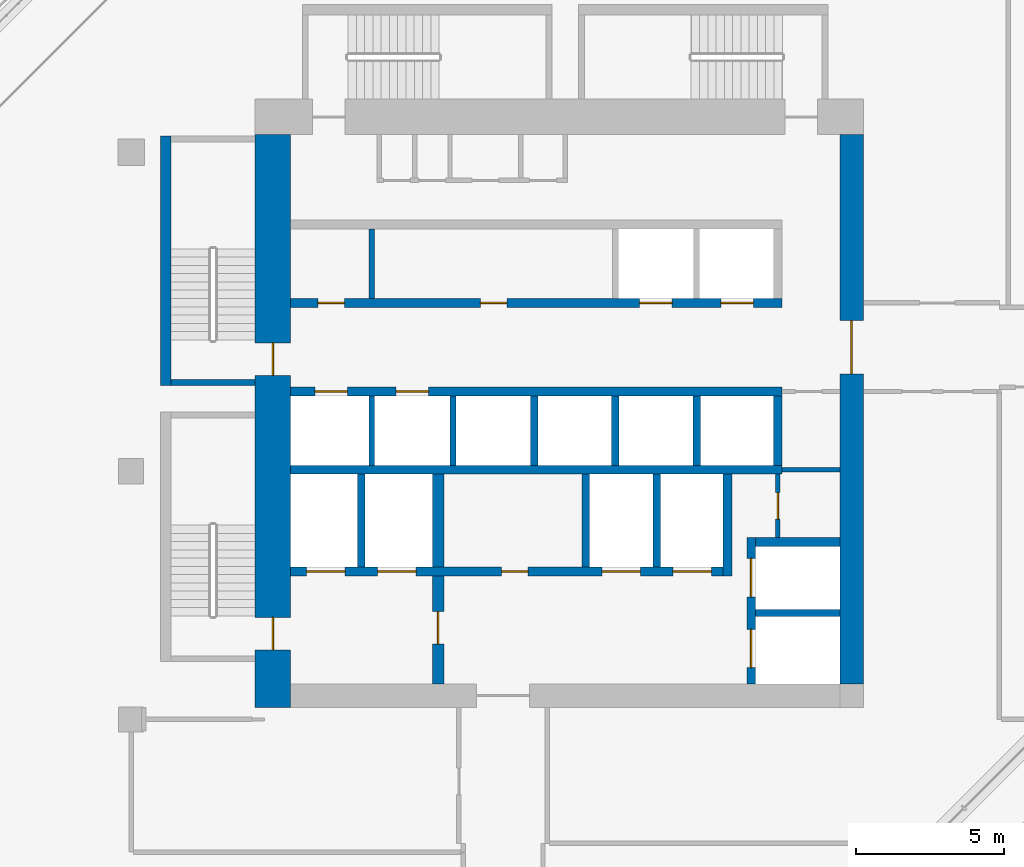
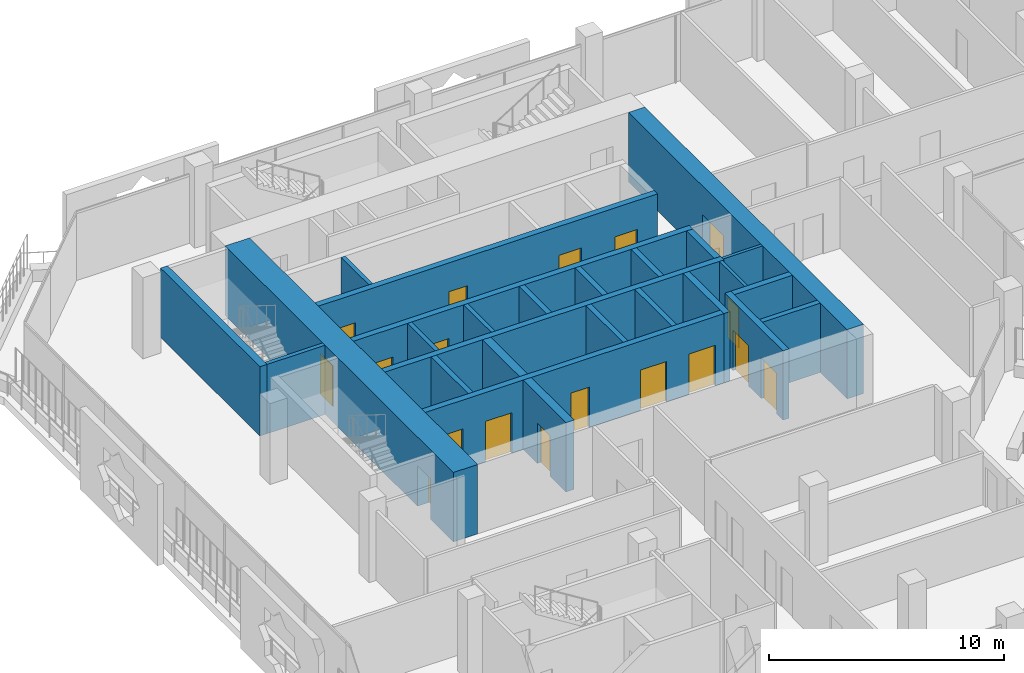
# One storey, part 13 of 23: 26 walls, 18 doors, 18 openings.
"""IFC4 building model written with IfcOpenShell, lengths in metres."""

from ifc_helpers import new_model, si_unit, direction, frame, frame_2d, origin, place, context, subcontext, project, spatial, rectangle, extrude, material, layer, layer_set, type_object, element, fill, save


model = new_model("IFC4")

# Units and contexts
model_context = context("Model", 3, precision=1e-05, world=origin(), true_north=direction((0.0, 1.0)))
body_context = subcontext(model_context, "Body", "Model", "MODEL_VIEW")
ifc_project = project(units=[si_unit("LENGTHUNIT", "METRE"), si_unit("AREAUNIT", "SQUARE_METRE"), si_unit("VOLUMEUNIT", "CUBIC_METRE"), si_unit("PLANEANGLEUNIT", "RADIAN"), si_unit("MASSUNIT", "GRAM", prefix="KILO")], contexts=[model_context])

# Site, building, storey
site_placement = place(None, origin())
site = spatial("IfcSite", under=ifc_project, at=site_placement, CompositionType="ELEMENT")
building_placement = place(site_placement, origin())
building = spatial("IfcBuilding", under=site, at=building_placement, Name="Kawkab Arch Medical Tower", CompositionType="ELEMENT")
storey_placement = place(building_placement, frame((0.0, 0.0, 226.39990234375)))
storey = spatial("IfcBuildingStorey", under=building, at=storey_placement, Name="L52", CompositionType="ELEMENT", Elevation=226.39990234375)

# Wall, openings, doors
ifc_material_1 = material(Name="Concrete C50/60", Category="concrete")
ifc_layer_1 = layer(ifc_material_1, 1.199951171875)
ifc_layer_set_1 = layer_set([ifc_layer_1], Name="Concrete C50/60")
wall_type_1 = type_object("IfcWallType", Name="Core ring wall 1200 C50/60", PredefinedType="SHEAR", material=ifc_layer_set_1)
wall_1_placement = place(storey_placement, frame((4.800048828125, -24.800048828125, 0.0), z_axis=(0.0, 0.0, 1.0), x_axis=(0.0, 1.0, 0.0)))
wall_1 = element("IfcWall", 1, at=wall_1_placement, inside=storey, type_object=wall_type_1, Name="L52 core wall", PredefinedType="SHEAR", context=body_context, shape_type="SweptSolid", body=[
    extrude(rectangle(XDim=19.400146484375, YDim=1.199951171875, at=frame_2d((9.7001953125, 0.0))), origin(), (0.0, 0.0, 1.0), 3.60009765625),
])
opening_1_placement = place(wall_1_placement, frame((11.25, 0.0, 0.0)))
opening_1 = element("IfcOpeningElement", 2, at=opening_1_placement, cuts=wall_1, Name="Opening SD", PredefinedType="OPENING", context=body_context, shape_type="SweptSolid", body=[
    extrude(rectangle(XDim=1.10009765625, YDim=2.10009765625, at=frame_2d((0.550048828125, 1.050048828125))), frame((0.0, 0.60986328125, 0.0), z_axis=(0.0, -1.0, 0.0), x_axis=(1.0, 0.0, 0.0)), (0.0, 0.0, 1.0), 1.219970703125),
])
opening_2_placement = place(wall_1_placement, frame((1.949951171875, 0.0, 0.0)))
opening_2 = element("IfcOpeningElement", 3, at=opening_2_placement, cuts=wall_1, Name="Opening SD", PredefinedType="OPENING", context=body_context, shape_type="SweptSolid", body=[
    extrude(rectangle(XDim=1.10009765625, YDim=2.10009765625, at=frame_2d((0.550048828125, 1.050048828125))), frame((0.0, 0.60986328125, 0.0), z_axis=(0.0, -1.0, 0.0), x_axis=(1.0, 0.0, 0.0)), (0.0, 0.0, 1.0), 1.219970703125),
])
ifc_material_2 = material(Name="Hollow metal fire door leaf")
door_type_1 = type_object("IfcDoorType", Name="Exit stair door 1100", OperationType="SINGLE_SWING_LEFT", PredefinedType="DOOR", material=ifc_material_2)
door_1_placement = place(opening_1_placement, origin())
door_1 = element("IfcDoor", 4, at=door_1_placement, inside=storey, type_object=door_type_1, Name="L52 Exit stair ST1 door", OperationType="SINGLE_SWING_LEFT", OverallHeight=2.10009765625, OverallWidth=1.10009765625, PredefinedType="DOOR", context=body_context, shape_type="SweptSolid", body=[
    extrude(rectangle(XDim=1.10009765625, YDim=2.10009765625, at=frame_2d((0.550048828125, 1.050048828125))), frame((0.0, 0.02490234375, 0.0), z_axis=(0.0, -1.0, 0.0), x_axis=(1.0, 0.0, 0.0)), (0.0, 0.0, 1.0), 0.050048828125),
])
fill(opening_1, door_1)
door_2_placement = place(opening_2_placement, origin())
door_2 = element("IfcDoor", 5, at=door_2_placement, inside=storey, type_object=door_type_1, Name="L52 Exit stair ST2 door", OperationType="SINGLE_SWING_LEFT", OverallHeight=2.10009765625, OverallWidth=1.10009765625, PredefinedType="DOOR", context=body_context, shape_type="SweptSolid", body=[
    extrude(rectangle(XDim=1.10009765625, YDim=2.10009765625, at=frame_2d((0.550048828125, 1.050048828125))), frame((0.0, 0.02490234375, 0.0), z_axis=(0.0, -1.0, 0.0), x_axis=(1.0, 0.0, 0.0)), (0.0, 0.0, 1.0), 0.050048828125),
])
fill(opening_2, door_2)

# Wall, opening, door
ifc_material_3 = material(Name="Concrete C50/60", Category="concrete")
ifc_layer_2 = layer(ifc_material_3, 0.800048828125)
ifc_layer_set_2 = layer_set([ifc_layer_2], Name="Concrete C50/60")
wall_type_2 = type_object("IfcWallType", Name="Core ring wall 800 C50/60", PredefinedType="SHEAR", material=ifc_layer_set_2)
wall_2_placement = place(storey_placement, frame((24.39990234375, -24.0, 0.0), z_axis=(0.0, 0.0, 1.0), x_axis=(0.0, 1.0, 0.0)))
wall_2 = element("IfcWall", 6, at=wall_2_placement, inside=storey, type_object=wall_type_2, Name="L52 core wall", PredefinedType="SHEAR", context=body_context, shape_type="SweptSolid", body=[
    extrude(rectangle(XDim=18.60009765625, YDim=0.800048828125, at=frame_2d((9.300048828125, 0.0))), origin(), (0.0, 0.0, 1.0), 3.60009765625),
])
opening_3_placement = place(wall_2_placement, frame((10.5, 0.0, 0.0)))
opening_3 = element("IfcOpeningElement", 7, at=opening_3_placement, cuts=wall_2, Name="Opening PD", PredefinedType="OPENING", context=body_context, shape_type="SweptSolid", body=[
    extrude(rectangle(XDim=1.800048828125, YDim=2.10009765625, at=frame_2d((0.89990234375, 1.050048828125))), frame((0.0, 0.409912109375, 0.0), z_axis=(0.0, -1.0, 0.0), x_axis=(1.0, 0.0, 0.0)), (0.0, 0.0, 1.0), 0.820068359375),
])
ifc_material_4 = material(Name="Hollow metal fire door leaf")
door_type_2 = type_object("IfcDoorType", Name="Core entrance doors 1800", OperationType="DOUBLE_DOOR_SINGLE_SWING", PredefinedType="DOOR", material=ifc_material_4)
door_3_placement = place(opening_3_placement, origin())
door_3 = element("IfcDoor", 8, at=door_3_placement, inside=storey, type_object=door_type_2, Name="L52 East entrance doors", OperationType="DOUBLE_DOOR_SINGLE_SWING", OverallHeight=2.10009765625, OverallWidth=1.800048828125, PredefinedType="DOOR", context=body_context, shape_type="SweptSolid", body=[
    extrude(rectangle(XDim=1.800048828125, YDim=2.10009765625, at=frame_2d((0.89990234375, 1.050048828125))), frame((0.0, 0.02490234375, 0.0), z_axis=(0.0, -1.0, 0.0), x_axis=(1.0, 0.0, 0.0)), (0.0, 0.0, 1.0), 0.050048828125),
])
fill(opening_3, door_3)

ifc_material_5 = material(Name="Gypsum board on steel studs", Category="steel")
ifc_layer_3 = layer(ifc_material_5, 0.14990234375)
ifc_layer_set_3 = layer_set([ifc_layer_3], Name="Gypsum board on steel studs")
wall_type_3 = type_object("IfcWallType", Name="Core room partition 150", PredefinedType="PARTITIONING", material=ifc_layer_set_3)
wall_3_placement = place(storey_placement, frame((21.89990234375, -19.050048828125, 0.0), z_axis=(0.0, 0.0, 1.0), x_axis=(0.0, 1.0, 0.0)))
wall_3 = element("IfcWall", 9, at=wall_3_placement, inside=storey, type_object=wall_type_3, Name="L52 core room partition", PredefinedType="PARTITIONING", context=body_context, shape_type="SweptSolid", body=[
    extrude(rectangle(XDim=2.150146484375, YDim=0.14990234375, at=frame_2d((1.0751953125, 0.0))), origin(), (0.0, 0.0, 1.0), 3.60009765625),
])
opening_4_placement = place(wall_3_placement, frame((0.625, 0.0, 0.0)))
opening_4 = element("IfcOpeningElement", 10, at=opening_4_placement, cuts=wall_3, Name="Opening RD", PredefinedType="OPENING", context=body_context, shape_type="SweptSolid", body=[
    extrude(rectangle(XDim=0.89990234375, YDim=2.10009765625, at=frame_2d((0.449951171875, 1.050048828125))), frame((0.0, 0.0849609375, 0.0), z_axis=(0.0, -1.0, 0.0), x_axis=(1.0, 0.0, 0.0)), (0.0, 0.0, 1.0), 0.169921875),
])
ifc_material_6 = material(Name="Hollow metal fire door leaf")
door_type_3 = type_object("IfcDoorType", Name="Core room door 900", OperationType="SINGLE_SWING_LEFT", PredefinedType="DOOR", material=ifc_material_6)
door_4_placement = place(opening_4_placement, origin())
door_4 = element("IfcDoor", 11, at=door_4_placement, inside=storey, type_object=door_type_3, Name="L52 Staff WC door", OperationType="SINGLE_SWING_LEFT", OverallHeight=2.10009765625, OverallWidth=0.89990234375, PredefinedType="DOOR", context=body_context, shape_type="SweptSolid", body=[
    extrude(rectangle(XDim=0.89990234375, YDim=2.10009765625, at=frame_2d((0.449951171875, 1.050048828125))), frame((0.0, 0.02490234375, 0.0), z_axis=(0.0, -1.0, 0.0), x_axis=(1.0, 0.0, 0.0)), (0.0, 0.0, 1.0), 0.050048828125),
])
fill(opening_4, door_4)

# Walls
wall_4_placement = place(storey_placement, frame((22.050048828125, -16.75, 0.0), z_axis=(0.0, 0.0, 1.0), x_axis=(1.0, 0.0, 0.0)))
element("IfcWall", 12, at=wall_4_placement, inside=storey, type_object=wall_type_3, Name="L52 core room partition", PredefinedType="PARTITIONING", context=body_context, shape_type="SweptSolid", body=[
    extrude(rectangle(XDim=1.949951171875, YDim=0.14990234375, at=frame_2d((0.97509765625, 0.0))), origin(), (0.0, 0.0, 1.0), 3.60009765625),
])
ifc_material_7 = material(Name="Concrete C60/75", Category="concrete")
ifc_layer_4 = layer(ifc_material_7, 0.25)
ifc_layer_set_4 = layer_set([ifc_layer_4], Name="Concrete C60/75")
wall_type_4 = type_object("IfcWallType", Name="Core shear wall 250 C60/75", PredefinedType="SHEAR", material=ifc_layer_set_4)
wall_5_placement = place(storey_placement, frame((21.14990234375, -21.60009765625, 0.0), z_axis=(0.0, 0.0, 1.0), x_axis=(1.0, 0.0, 0.0)))
element("IfcWall", 13, at=wall_5_placement, inside=storey, type_object=wall_type_4, Name="L52 core shear wall", PredefinedType="SHEAR", context=body_context, shape_type="SweptSolid", body=[
    extrude(rectangle(XDim=2.85009765625, YDim=0.25, at=frame_2d((1.425048828125, 0.0))), origin(), (0.0, 0.0, 1.0), 3.60009765625),
])
for number, where, z_axis, x_axis, name in (
    (14, (7.800048828125, -20.050048828125, 0.0), (0.0, 0.0, 1.0), (0.0, 1.0, 0.0), "L52 core shear wall"),
    (15, (15.39990234375, -20.050048828125, 0.0), (0.0, 0.0, 1.0), (0.0, 1.0, 0.0), "L52 core shear wall"),
    (16, (17.800048828125, -20.050048828125, 0.0), (0.0, 0.0, 1.0), (0.0, 1.0, 0.0), "L52 core shear wall"),
):
    element("IfcWall", number, at=place(storey_placement, frame(where, z_axis=z_axis, x_axis=x_axis)), inside=storey, type_object=wall_type_4, Name=name, PredefinedType="SHEAR", context=body_context, shape_type="SweptSolid", body=[
        extrude(rectangle(XDim=3.150146484375, YDim=0.25, at=frame_2d((1.5751953125, 0.0))), origin(), (0.0, 0.0, 1.0), 3.60009765625),
    ])
for number, where, z_axis, x_axis, name in (
    (17, (13.64990234375, -16.60009765625, 0.0), (0.0, 0.0, 1.0), (0.0, 1.0, 0.0), "L52 core shear wall"),
    (18, (16.39990234375, -16.60009765625, 0.0), (0.0, 0.0, 1.0), (0.0, 1.0, 0.0), "L52 core shear wall"),
    (19, (19.14990234375, -16.60009765625, 0.0), (0.0, 0.0, 1.0), (0.0, 1.0, 0.0), "L52 core shear wall"),
):
    element("IfcWall", number, at=place(storey_placement, frame(where, z_axis=z_axis, x_axis=x_axis)), inside=storey, type_object=wall_type_4, Name=name, PredefinedType="SHEAR", context=body_context, shape_type="SweptSolid", body=[
        extrude(rectangle(XDim=2.35009765625, YDim=0.25, at=frame_2d((1.175048828125, 0.0))), origin(), (0.0, 0.0, 1.0), 3.60009765625),
    ])

# Wall, openings, doors
ifc_material_8 = material(Name="Concrete C60/75", Category="concrete")
ifc_layer_5 = layer(ifc_material_8, 0.300048828125)
ifc_layer_set_5 = layer_set([ifc_layer_5], Name="Concrete C60/75")
wall_type_5 = type_object("IfcWallType", Name="Core shear wall 300 C60/75", PredefinedType="SHEAR", material=ifc_layer_set_5)
wall_6_placement = place(storey_placement, frame((5.39990234375, -11.10009765625, 0.0), z_axis=(0.0, 0.0, 1.0), x_axis=(1.0, 0.0, 0.0)))
wall_6 = element("IfcWall", 20, at=wall_6_placement, inside=storey, type_object=wall_type_5, Name="L52 core shear wall", PredefinedType="SHEAR", context=body_context, shape_type="SweptSolid", body=[
    extrude(rectangle(XDim=16.650146484375, YDim=0.300048828125, at=frame_2d((8.3251953125, 0.0))), origin(), (0.0, 0.0, 1.0), 3.60009765625),
])
opening_5_placement = place(wall_6_placement, frame((11.824951171875, 0.0, 0.0)))
opening_5 = element("IfcOpeningElement", 21, at=opening_5_placement, cuts=wall_6, Name="Opening LD1", PredefinedType="OPENING", context=body_context, shape_type="SweptSolid", body=[
    extrude(rectangle(XDim=1.10009765625, YDim=2.10009765625, at=frame_2d((0.550048828125, 1.050048828125))), frame((0.0, 0.159912109375, 0.0), z_axis=(0.0, -1.0, 0.0), x_axis=(1.0, 0.0, 0.0)), (0.0, 0.0, 1.0), 0.320068359375),
])
opening_6_placement = place(wall_6_placement, frame((14.574951171875, 0.0, 0.0)))
opening_6 = element("IfcOpeningElement", 22, at=opening_6_placement, cuts=wall_6, Name="Opening LD1", PredefinedType="OPENING", context=body_context, shape_type="SweptSolid", body=[
    extrude(rectangle(XDim=1.10009765625, YDim=2.10009765625, at=frame_2d((0.550048828125, 1.050048828125))), frame((0.0, 0.159912109375, 0.0), z_axis=(0.0, -1.0, 0.0), x_axis=(1.0, 0.0, 0.0)), (0.0, 0.0, 1.0), 0.320068359375),
])
opening_7_placement = place(wall_6_placement, frame((0.925048828125, 0.0, 0.0)))
opening_7 = element("IfcOpeningElement", 23, at=opening_7_placement, cuts=wall_6, Name="Opening RD", PredefinedType="OPENING", context=body_context, shape_type="SweptSolid", body=[
    extrude(rectangle(XDim=0.89990234375, YDim=2.10009765625, at=frame_2d((0.449951171875, 1.050048828125))), frame((0.0, 0.159912109375, 0.0), z_axis=(0.0, -1.0, 0.0), x_axis=(1.0, 0.0, 0.0)), (0.0, 0.0, 1.0), 0.320068359375),
])
opening_8_placement = place(wall_6_placement, frame((6.425048828125, 0.0, 0.0)))
opening_8 = element("IfcOpeningElement", 24, at=opening_8_placement, cuts=wall_6, Name="Opening RD", PredefinedType="OPENING", context=body_context, shape_type="SweptSolid", body=[
    extrude(rectangle(XDim=0.89990234375, YDim=2.10009765625, at=frame_2d((0.449951171875, 1.050048828125))), frame((0.0, 0.159912109375, 0.0), z_axis=(0.0, -1.0, 0.0), x_axis=(1.0, 0.0, 0.0)), (0.0, 0.0, 1.0), 0.320068359375),
])
door_5_placement = place(opening_7_placement, origin())
door_5 = element("IfcDoor", 25, at=door_5_placement, inside=storey, type_object=door_type_3, Name="L52 Linen store door", OperationType="SINGLE_SWING_LEFT", OverallHeight=2.10009765625, OverallWidth=0.89990234375, PredefinedType="DOOR", context=body_context, shape_type="SweptSolid", body=[
    extrude(rectangle(XDim=0.89990234375, YDim=2.10009765625, at=frame_2d((0.449951171875, 1.050048828125))), frame((0.0, 0.02490234375, 0.0), z_axis=(0.0, -1.0, 0.0), x_axis=(1.0, 0.0, 0.0)), (0.0, 0.0, 1.0), 0.050048828125),
])
fill(opening_7, door_5)
door_6_placement = place(opening_8_placement, origin())
door_6 = element("IfcDoor", 26, at=door_6_placement, inside=storey, type_object=door_type_3, Name="L52 Housekeeping store door", OperationType="SINGLE_SWING_LEFT", OverallHeight=2.10009765625, OverallWidth=0.89990234375, PredefinedType="DOOR", context=body_context, shape_type="SweptSolid", body=[
    extrude(rectangle(XDim=0.89990234375, YDim=2.10009765625, at=frame_2d((0.449951171875, 1.050048828125))), frame((0.0, 0.02490234375, 0.0), z_axis=(0.0, -1.0, 0.0), x_axis=(1.0, 0.0, 0.0)), (0.0, 0.0, 1.0), 0.050048828125),
])
fill(opening_8, door_6)
ifc_material_9 = material(Name="Stainless steel lift door leaf", Category="steel")
door_type_4 = type_object("IfcDoorType", Name="Lift landing door 1100", OperationType="DOUBLE_DOOR_SLIDING", PredefinedType="DOOR", material=ifc_material_9)
door_7_placement = place(opening_5_placement, origin())
door_7 = element("IfcDoor", 27, at=door_7_placement, inside=storey, type_object=door_type_4, Name="L52 Lift landing door MP1", OperationType="DOUBLE_DOOR_SLIDING", OverallHeight=2.10009765625, OverallWidth=1.10009765625, PredefinedType="DOOR", context=body_context, shape_type="SweptSolid", body=[
    extrude(rectangle(XDim=1.10009765625, YDim=2.10009765625, at=frame_2d((0.550048828125, 1.050048828125))), frame((0.0, 0.02490234375, 0.0), z_axis=(0.0, -1.0, 0.0), x_axis=(1.0, 0.0, 0.0)), (0.0, 0.0, 1.0), 0.050048828125),
])
fill(opening_5, door_7)
door_8_placement = place(opening_6_placement, origin())
door_8 = element("IfcDoor", 28, at=door_8_placement, inside=storey, type_object=door_type_4, Name="L52 Lift landing door MP2", OperationType="DOUBLE_DOOR_SLIDING", OverallHeight=2.10009765625, OverallWidth=1.10009765625, PredefinedType="DOOR", context=body_context, shape_type="SweptSolid", body=[
    extrude(rectangle(XDim=1.10009765625, YDim=2.10009765625, at=frame_2d((0.550048828125, 1.050048828125))), frame((0.0, 0.02490234375, 0.0), z_axis=(0.0, -1.0, 0.0), x_axis=(1.0, 0.0, 0.0)), (0.0, 0.0, 1.0), 0.050048828125),
])
fill(opening_6, door_8)

wall_7_placement = place(storey_placement, frame((5.39990234375, -14.10009765625, 0.0), z_axis=(0.0, 0.0, 1.0), x_axis=(1.0, 0.0, 0.0)))
wall_7 = element("IfcWall", 29, at=wall_7_placement, inside=storey, type_object=wall_type_5, Name="L52 core shear wall", PredefinedType="SHEAR", context=body_context, shape_type="SweptSolid", body=[
    extrude(rectangle(XDim=16.650146484375, YDim=0.300048828125, at=frame_2d((8.3251953125, 0.0))), origin(), (0.0, 0.0, 1.0), 3.60009765625),
])
opening_9_placement = place(wall_7_placement, frame((0.824951171875, 0.0, 0.0)))
opening_9 = element("IfcOpeningElement", 30, at=opening_9_placement, cuts=wall_7, Name="Opening LD1", PredefinedType="OPENING", context=body_context, shape_type="SweptSolid", body=[
    extrude(rectangle(XDim=1.10009765625, YDim=2.10009765625, at=frame_2d((0.550048828125, 1.050048828125))), frame((0.0, 0.159912109375, 0.0), z_axis=(0.0, -1.0, 0.0), x_axis=(1.0, 0.0, 0.0)), (0.0, 0.0, 1.0), 0.320068359375),
])
opening_10_placement = place(wall_7_placement, frame((3.574951171875, 0.0, 0.0)))
opening_10 = element("IfcOpeningElement", 31, at=opening_10_placement, cuts=wall_7, Name="Opening LD1", PredefinedType="OPENING", context=body_context, shape_type="SweptSolid", body=[
    extrude(rectangle(XDim=1.10009765625, YDim=2.10009765625, at=frame_2d((0.550048828125, 1.050048828125))), frame((0.0, 0.159912109375, 0.0), z_axis=(0.0, -1.0, 0.0), x_axis=(1.0, 0.0, 0.0)), (0.0, 0.0, 1.0), 0.320068359375),
])
door_9_placement = place(opening_9_placement, origin())
door_9 = element("IfcDoor", 32, at=door_9_placement, inside=storey, type_object=door_type_4, Name="L52 Lift landing door MP3", OperationType="DOUBLE_DOOR_SLIDING", OverallHeight=2.10009765625, OverallWidth=1.10009765625, PredefinedType="DOOR", context=body_context, shape_type="SweptSolid", body=[
    extrude(rectangle(XDim=1.10009765625, YDim=2.10009765625, at=frame_2d((0.550048828125, 1.050048828125))), frame((0.0, 0.02490234375, 0.0), z_axis=(0.0, -1.0, 0.0), x_axis=(1.0, 0.0, 0.0)), (0.0, 0.0, 1.0), 0.050048828125),
])
fill(opening_9, door_9)
door_10_placement = place(opening_10_placement, origin())
door_10 = element("IfcDoor", 33, at=door_10_placement, inside=storey, type_object=door_type_4, Name="L52 Lift landing door MP4", OperationType="DOUBLE_DOOR_SLIDING", OverallHeight=2.10009765625, OverallWidth=1.10009765625, PredefinedType="DOOR", context=body_context, shape_type="SweptSolid", body=[
    extrude(rectangle(XDim=1.10009765625, YDim=2.10009765625, at=frame_2d((0.550048828125, 1.050048828125))), frame((0.0, 0.02490234375, 0.0), z_axis=(0.0, -1.0, 0.0), x_axis=(1.0, 0.0, 0.0)), (0.0, 0.0, 1.0), 0.050048828125),
])
fill(opening_10, door_10)

# Wall
wall_8_placement = place(storey_placement, frame((5.39990234375, -16.75, 0.0), z_axis=(0.0, 0.0, 1.0), x_axis=(1.0, 0.0, 0.0)))
element("IfcWall", 34, at=wall_8_placement, inside=storey, type_object=wall_type_5, Name="L52 core shear wall", PredefinedType="SHEAR", context=body_context, shape_type="SweptSolid", body=[
    extrude(rectangle(XDim=16.650146484375, YDim=0.300048828125, at=frame_2d((8.3251953125, 0.0))), origin(), (0.0, 0.0, 1.0), 3.60009765625),
])

# Wall, openings, doors
wall_9_placement = place(storey_placement, frame((5.39990234375, -20.199951171875, 0.0), z_axis=(0.0, 0.0, 1.0), x_axis=(1.0, 0.0, 0.0)))
wall_9 = element("IfcWall", 35, at=wall_9_placement, inside=storey, type_object=wall_type_5, Name="L52 core shear wall", PredefinedType="SHEAR", context=body_context, shape_type="SweptSolid", body=[
    extrude(rectangle(XDim=14.650146484375, YDim=0.300048828125, at=frame_2d((7.3251953125, 0.0))), origin(), (0.0, 0.0, 1.0), 3.60009765625),
])
opening_11_placement = place(wall_9_placement, frame((10.550048828125, 0.0, 0.0)))
opening_11 = element("IfcOpeningElement", 36, at=opening_11_placement, cuts=wall_9, Name="Opening LD2", PredefinedType="OPENING", context=body_context, shape_type="SweptSolid", body=[
    extrude(rectangle(XDim=1.300048828125, YDim=2.10009765625, at=frame_2d((0.64990234375, 1.050048828125))), frame((0.0, 0.159912109375, 0.0), z_axis=(0.0, -1.0, 0.0), x_axis=(1.0, 0.0, 0.0)), (0.0, 0.0, 1.0), 0.320068359375),
])
opening_12_placement = place(wall_9_placement, frame((12.949951171875, 0.0, 0.0)))
opening_12 = element("IfcOpeningElement", 37, at=opening_12_placement, cuts=wall_9, Name="Opening LD2", PredefinedType="OPENING", context=body_context, shape_type="SweptSolid", body=[
    extrude(rectangle(XDim=1.300048828125, YDim=2.10009765625, at=frame_2d((0.64990234375, 1.050048828125))), frame((0.0, 0.159912109375, 0.0), z_axis=(0.0, -1.0, 0.0), x_axis=(1.0, 0.0, 0.0)), (0.0, 0.0, 1.0), 0.320068359375),
])
opening_13_placement = place(wall_9_placement, frame((0.550048828125, 0.0, 0.0)))
opening_13 = element("IfcOpeningElement", 38, at=opening_13_placement, cuts=wall_9, Name="Opening LD2", PredefinedType="OPENING", context=body_context, shape_type="SweptSolid", body=[
    extrude(rectangle(XDim=1.300048828125, YDim=2.10009765625, at=frame_2d((0.64990234375, 1.050048828125))), frame((0.0, 0.159912109375, 0.0), z_axis=(0.0, -1.0, 0.0), x_axis=(1.0, 0.0, 0.0)), (0.0, 0.0, 1.0), 0.320068359375),
])
opening_14_placement = place(wall_9_placement, frame((2.949951171875, 0.0, 0.0)))
opening_14 = element("IfcOpeningElement", 39, at=opening_14_placement, cuts=wall_9, Name="Opening LD2", PredefinedType="OPENING", context=body_context, shape_type="SweptSolid", body=[
    extrude(rectangle(XDim=1.300048828125, YDim=2.10009765625, at=frame_2d((0.64990234375, 1.050048828125))), frame((0.0, 0.159912109375, 0.0), z_axis=(0.0, -1.0, 0.0), x_axis=(1.0, 0.0, 0.0)), (0.0, 0.0, 1.0), 0.320068359375),
])
opening_15_placement = place(wall_9_placement, frame((7.14990234375, 0.0, 0.0)))
opening_15 = element("IfcOpeningElement", 40, at=opening_15_placement, cuts=wall_9, Name="Opening RD", PredefinedType="OPENING", context=body_context, shape_type="SweptSolid", body=[
    extrude(rectangle(XDim=0.89990234375, YDim=2.10009765625, at=frame_2d((0.449951171875, 1.050048828125))), frame((0.0, 0.159912109375, 0.0), z_axis=(0.0, -1.0, 0.0), x_axis=(1.0, 0.0, 0.0)), (0.0, 0.0, 1.0), 0.320068359375),
])
door_11_placement = place(opening_15_placement, origin())
door_11 = element("IfcDoor", 41, at=door_11_placement, inside=storey, type_object=door_type_3, Name="L52 Housekeeping store door", OperationType="SINGLE_SWING_LEFT", OverallHeight=2.10009765625, OverallWidth=0.89990234375, PredefinedType="DOOR", context=body_context, shape_type="SweptSolid", body=[
    extrude(rectangle(XDim=0.89990234375, YDim=2.10009765625, at=frame_2d((0.449951171875, 1.050048828125))), frame((0.0, 0.02490234375, 0.0), z_axis=(0.0, -1.0, 0.0), x_axis=(1.0, 0.0, 0.0)), (0.0, 0.0, 1.0), 0.050048828125),
])
fill(opening_15, door_11)
ifc_material_10 = material(Name="Stainless steel lift door leaf", Category="steel")
door_type_5 = type_object("IfcDoorType", Name="Lift landing door 1300", OperationType="DOUBLE_DOOR_SLIDING", PredefinedType="DOOR", material=ifc_material_10)
door_12_placement = place(opening_11_placement, origin())
door_12 = element("IfcDoor", 42, at=door_12_placement, inside=storey, type_object=door_type_5, Name="L52 Lift landing door BD3", OperationType="DOUBLE_DOOR_SLIDING", OverallHeight=2.10009765625, OverallWidth=1.300048828125, PredefinedType="DOOR", context=body_context, shape_type="SweptSolid", body=[
    extrude(rectangle(XDim=1.300048828125, YDim=2.10009765625, at=frame_2d((0.64990234375, 1.050048828125))), frame((0.0, 0.02490234375, 0.0), z_axis=(0.0, -1.0, 0.0), x_axis=(1.0, 0.0, 0.0)), (0.0, 0.0, 1.0), 0.050048828125),
])
fill(opening_11, door_12)
door_13_placement = place(opening_12_placement, origin())
door_13 = element("IfcDoor", 43, at=door_13_placement, inside=storey, type_object=door_type_5, Name="L52 Lift landing door BD4", OperationType="DOUBLE_DOOR_SLIDING", OverallHeight=2.10009765625, OverallWidth=1.300048828125, PredefinedType="DOOR", context=body_context, shape_type="SweptSolid", body=[
    extrude(rectangle(XDim=1.300048828125, YDim=2.10009765625, at=frame_2d((0.64990234375, 1.050048828125))), frame((0.0, 0.02490234375, 0.0), z_axis=(0.0, -1.0, 0.0), x_axis=(1.0, 0.0, 0.0)), (0.0, 0.0, 1.0), 0.050048828125),
])
fill(opening_12, door_13)
door_14_placement = place(opening_13_placement, origin())
door_14 = element("IfcDoor", 44, at=door_14_placement, inside=storey, type_object=door_type_5, Name="L52 Lift landing door FL1", OperationType="DOUBLE_DOOR_SLIDING", OverallHeight=2.10009765625, OverallWidth=1.300048828125, PredefinedType="DOOR", context=body_context, shape_type="SweptSolid", body=[
    extrude(rectangle(XDim=1.300048828125, YDim=2.10009765625, at=frame_2d((0.64990234375, 1.050048828125))), frame((0.0, 0.02490234375, 0.0), z_axis=(0.0, -1.0, 0.0), x_axis=(1.0, 0.0, 0.0)), (0.0, 0.0, 1.0), 0.050048828125),
])
fill(opening_13, door_14)
door_15_placement = place(opening_14_placement, origin())
door_15 = element("IfcDoor", 45, at=door_15_placement, inside=storey, type_object=door_type_5, Name="L52 Lift landing door FL2", OperationType="DOUBLE_DOOR_SLIDING", OverallHeight=2.10009765625, OverallWidth=1.300048828125, PredefinedType="DOOR", context=body_context, shape_type="SweptSolid", body=[
    extrude(rectangle(XDim=1.300048828125, YDim=2.10009765625, at=frame_2d((0.64990234375, 1.050048828125))), frame((0.0, 0.02490234375, 0.0), z_axis=(0.0, -1.0, 0.0), x_axis=(1.0, 0.0, 0.0)), (0.0, 0.0, 1.0), 0.050048828125),
])
fill(opening_14, door_15)

# Walls
wall_10_placement = place(storey_placement, frame((20.199951171875, -20.35009765625, 0.0), z_axis=(0.0, 0.0, 1.0), x_axis=(0.0, 1.0, 0.0)))
element("IfcWall", 46, at=wall_10_placement, inside=storey, type_object=wall_type_5, Name="L52 core shear wall", PredefinedType="SHEAR", context=body_context, shape_type="SweptSolid", body=[
    extrude(rectangle(XDim=3.4501953125, YDim=0.300048828125, at=frame_2d((1.72509765625, 0.0))), origin(), (0.0, 0.0, 1.0), 3.60009765625),
])
wall_11_placement = place(storey_placement, frame((21.89990234375, -16.60009765625, 0.0), z_axis=(0.0, 0.0, 1.0), x_axis=(0.0, 1.0, 0.0)))
element("IfcWall", 47, at=wall_11_placement, inside=storey, type_object=wall_type_5, Name="L52 core shear wall", PredefinedType="SHEAR", context=body_context, shape_type="SweptSolid", body=[
    extrude(rectangle(XDim=2.35009765625, YDim=0.300048828125, at=frame_2d((1.175048828125, 0.0))), origin(), (0.0, 0.0, 1.0), 3.60009765625),
])
wall_12_placement = place(storey_placement, frame((21.14990234375, -19.199951171875, 0.0), z_axis=(0.0, 0.0, 1.0), x_axis=(1.0, 0.0, 0.0)))
element("IfcWall", 48, at=wall_12_placement, inside=storey, type_object=wall_type_5, Name="L52 core shear wall", PredefinedType="SHEAR", context=body_context, shape_type="SweptSolid", body=[
    extrude(rectangle(XDim=2.85009765625, YDim=0.300048828125, at=frame_2d((1.425048828125, 0.0))), origin(), (0.0, 0.0, 1.0), 3.60009765625),
])

# Wall, openings, doors
wall_13_placement = place(storey_placement, frame((21.0, -24.0, 0.0), z_axis=(0.0, 0.0, 1.0), x_axis=(0.0, 1.0, 0.0)))
wall_13 = element("IfcWall", 49, at=wall_13_placement, inside=storey, type_object=wall_type_5, Name="L52 core shear wall", PredefinedType="SHEAR", context=body_context, shape_type="SweptSolid", body=[
    extrude(rectangle(XDim=4.949951171875, YDim=0.300048828125, at=frame_2d((2.47509765625, 0.0))), origin(), (0.0, 0.0, 1.0), 3.60009765625),
])
opening_16_placement = place(wall_13_placement, frame((2.949951171875, 0.0, 0.0)))
opening_16 = element("IfcOpeningElement", 50, at=opening_16_placement, cuts=wall_13, Name="Opening LD2", PredefinedType="OPENING", context=body_context, shape_type="SweptSolid", body=[
    extrude(rectangle(XDim=1.300048828125, YDim=2.10009765625, at=frame_2d((0.64990234375, 1.050048828125))), frame((0.0, 0.159912109375, 0.0), z_axis=(0.0, -1.0, 0.0), x_axis=(1.0, 0.0, 0.0)), (0.0, 0.0, 1.0), 0.320068359375),
])
opening_17_placement = place(wall_13_placement, frame((0.550048828125, 0.0, 0.0)))
opening_17 = element("IfcOpeningElement", 51, at=opening_17_placement, cuts=wall_13, Name="Opening LD2", PredefinedType="OPENING", context=body_context, shape_type="SweptSolid", body=[
    extrude(rectangle(XDim=1.300048828125, YDim=2.10009765625, at=frame_2d((0.64990234375, 1.050048828125))), frame((0.0, 0.159912109375, 0.0), z_axis=(0.0, -1.0, 0.0), x_axis=(1.0, 0.0, 0.0)), (0.0, 0.0, 1.0), 0.320068359375),
])
door_16_placement = place(opening_16_placement, origin())
door_16 = element("IfcDoor", 52, at=door_16_placement, inside=storey, type_object=door_type_5, Name="L52 Lift landing door BD1", OperationType="DOUBLE_DOOR_SLIDING", OverallHeight=2.10009765625, OverallWidth=1.300048828125, PredefinedType="DOOR", context=body_context, shape_type="SweptSolid", body=[
    extrude(rectangle(XDim=1.300048828125, YDim=2.10009765625, at=frame_2d((0.64990234375, 1.050048828125))), frame((0.0, 0.02490234375, 0.0), z_axis=(0.0, -1.0, 0.0), x_axis=(1.0, 0.0, 0.0)), (0.0, 0.0, 1.0), 0.050048828125),
])
fill(opening_16, door_16)
door_17_placement = place(opening_17_placement, origin())
door_17 = element("IfcDoor", 53, at=door_17_placement, inside=storey, type_object=door_type_5, Name="L52 Lift landing door BD2", OperationType="DOUBLE_DOOR_SLIDING", OverallHeight=2.10009765625, OverallWidth=1.300048828125, PredefinedType="DOOR", context=body_context, shape_type="SweptSolid", body=[
    extrude(rectangle(XDim=1.300048828125, YDim=2.10009765625, at=frame_2d((0.64990234375, 1.050048828125))), frame((0.0, 0.02490234375, 0.0), z_axis=(0.0, -1.0, 0.0), x_axis=(1.0, 0.0, 0.0)), (0.0, 0.0, 1.0), 0.050048828125),
])
fill(opening_17, door_17)

# Wall, opening, door
ifc_material_11 = material(Name="Concrete C60/75", Category="concrete")
ifc_layer_6 = layer(ifc_material_11, 0.39990234375)
ifc_layer_set_6 = layer_set([ifc_layer_6], Name="Concrete C60/75")
wall_type_6 = type_object("IfcWallType", Name="Core shear wall 400 C60/75", PredefinedType="SHEAR", material=ifc_layer_set_6)
wall_14_placement = place(storey_placement, frame((10.39990234375, -24.0, 0.0), z_axis=(0.0, 0.0, 1.0), x_axis=(0.0, 1.0, 0.0)))
wall_14 = element("IfcWall", 54, at=wall_14_placement, inside=storey, type_object=wall_type_6, Name="L52 core shear wall", PredefinedType="SHEAR", context=body_context, shape_type="SweptSolid", body=[
    extrude(rectangle(XDim=3.64990234375, YDim=0.39990234375, at=frame_2d((1.824951171875, 0.0))), origin(), (0.0, 0.0, 1.0), 3.60009765625),
])
opening_18_placement = place(wall_14_placement, frame((1.35009765625, 0.0, 0.0)))
opening_18 = element("IfcOpeningElement", 55, at=opening_18_placement, cuts=wall_14, Name="Opening FD", PredefinedType="OPENING", context=body_context, shape_type="SweptSolid", body=[
    extrude(rectangle(XDim=1.10009765625, YDim=2.10009765625, at=frame_2d((0.550048828125, 1.050048828125))), frame((0.0, 0.2099609375, 0.0), z_axis=(0.0, -1.0, 0.0), x_axis=(1.0, 0.0, 0.0)), (0.0, 0.0, 1.0), 0.419921875),
])
ifc_material_12 = material(Name="Hollow metal fire door leaf")
door_type_6 = type_object("IfcDoorType", Name="Firefighting lobby door 1100", OperationType="SINGLE_SWING_LEFT", PredefinedType="DOOR", material=ifc_material_12)
door_18_placement = place(opening_18_placement, origin())
door_18 = element("IfcDoor", 56, at=door_18_placement, inside=storey, type_object=door_type_6, Name="L52 Firefighting lobby door", OperationType="SINGLE_SWING_LEFT", OverallHeight=2.10009765625, OverallWidth=1.10009765625, PredefinedType="DOOR", context=body_context, shape_type="SweptSolid", body=[
    extrude(rectangle(XDim=1.10009765625, YDim=2.10009765625, at=frame_2d((0.550048828125, 1.050048828125))), frame((0.0, 0.02490234375, 0.0), z_axis=(0.0, -1.0, 0.0), x_axis=(1.0, 0.0, 0.0)), (0.0, 0.0, 1.0), 0.050048828125),
])
fill(opening_18, door_18)

# Walls
wall_15_placement = place(storey_placement, frame((10.39990234375, -20.050048828125, 0.0), z_axis=(0.0, 0.0, 1.0), x_axis=(0.0, 1.0, 0.0)))
element("IfcWall", 57, at=wall_15_placement, inside=storey, type_object=wall_type_6, Name="L52 core shear wall", PredefinedType="SHEAR", context=body_context, shape_type="SweptSolid", body=[
    extrude(rectangle(XDim=3.150146484375, YDim=0.39990234375, at=frame_2d((1.5751953125, 0.0))), origin(), (0.0, 0.0, 1.0), 3.60009765625),
])
ifc_material_13 = material(Name="Dense concrete blockwork", Category="masonry")
ifc_layer_7 = layer(ifc_material_13, 0.199951171875)
ifc_layer_set_7 = layer_set([ifc_layer_7], Name="Dense concrete blockwork")
wall_type_7 = type_object("IfcWallType", Name="Lift shaft partition 200", PredefinedType="PARTITIONING", material=ifc_layer_set_7)
wall_16_placement = place(storey_placement, frame((8.14990234375, -10.949951171875, 0.0), z_axis=(0.0, 0.0, 1.0), x_axis=(0.0, 1.0, 0.0)))
element("IfcWall", 58, at=wall_16_placement, inside=storey, type_object=wall_type_7, Name="L52 lift shaft partition", PredefinedType="PARTITIONING", context=body_context, shape_type="SweptSolid", body=[
    extrude(rectangle(XDim=2.349853515625, YDim=0.199951171875, at=frame_2d((1.1748046875, 0.0))), origin(), (0.0, 0.0, 1.0), 3.60009765625),
])
for number, where, z_axis, x_axis, name in (
    (59, (8.14990234375, -16.60009765625, 0.0), (0.0, 0.0, 1.0), (0.0, 1.0, 0.0), "L52 lift shaft partition"),
    (60, (10.89990234375, -16.60009765625, 0.0), (0.0, 0.0, 1.0), (0.0, 1.0, 0.0), "L52 lift shaft partition"),
):
    element("IfcWall", number, at=place(storey_placement, frame(where, z_axis=z_axis, x_axis=x_axis)), inside=storey, type_object=wall_type_7, Name=name, PredefinedType="PARTITIONING", context=body_context, shape_type="SweptSolid", body=[
        extrude(rectangle(XDim=2.35009765625, YDim=0.199951171875, at=frame_2d((1.175048828125, 0.0))), origin(), (0.0, 0.0, 1.0), 3.60009765625),
    ])
ifc_material_14 = material(Name="Concrete C50/60", Category="concrete")
ifc_layer_8 = layer(ifc_material_14, 0.199951171875)
ifc_layer_set_8 = layer_set([ifc_layer_8], Name="Concrete C50/60")
wall_type_8 = type_object("IfcWallType", Name="Stair enclosure wall 200 C50/60", PredefinedType="SHEAR", material=ifc_layer_set_8)
wall_17_placement = place(storey_placement, frame((1.35009765625, -13.800048828125, 0.0), z_axis=(0.0, 0.0, 1.0), x_axis=(1.0, 0.0, 0.0)))
element("IfcWall", 61, at=wall_17_placement, inside=storey, type_object=wall_type_8, Name="L52 stair enclosure wall", PredefinedType="SHEAR", context=body_context, shape_type="SweptSolid", body=[
    extrude(rectangle(XDim=2.849853515625, YDim=0.199951171875, at=frame_2d((1.4248046875, 0.0))), origin(), (0.0, 0.0, 1.0), 3.60009765625),
])
ifc_material_15 = material(Name="Concrete C50/60", Category="concrete")
ifc_layer_9 = layer(ifc_material_15, 0.35009765625)
ifc_layer_set_9 = layer_set([ifc_layer_9], Name="Concrete C50/60")
wall_type_9 = type_object("IfcWallType", Name="Stair enclosure wall 350 C50/60", PredefinedType="SHEAR", material=ifc_layer_set_9)
wall_18_placement = place(storey_placement, frame((1.175048828125, -13.89990234375, 0.0), z_axis=(0.0, 0.0, 1.0), x_axis=(0.0, 1.0, 0.0)))
element("IfcWall", 62, at=wall_18_placement, inside=storey, type_object=wall_type_9, Name="L52 stair enclosure wall", PredefinedType="SHEAR", context=body_context, shape_type="SweptSolid", body=[
    extrude(rectangle(XDim=8.449951171875, YDim=0.35009765625, at=frame_2d((4.22509765625, 0.0))), origin(), (0.0, 0.0, 1.0), 3.60009765625),
])

save(model, "model.ifc")
